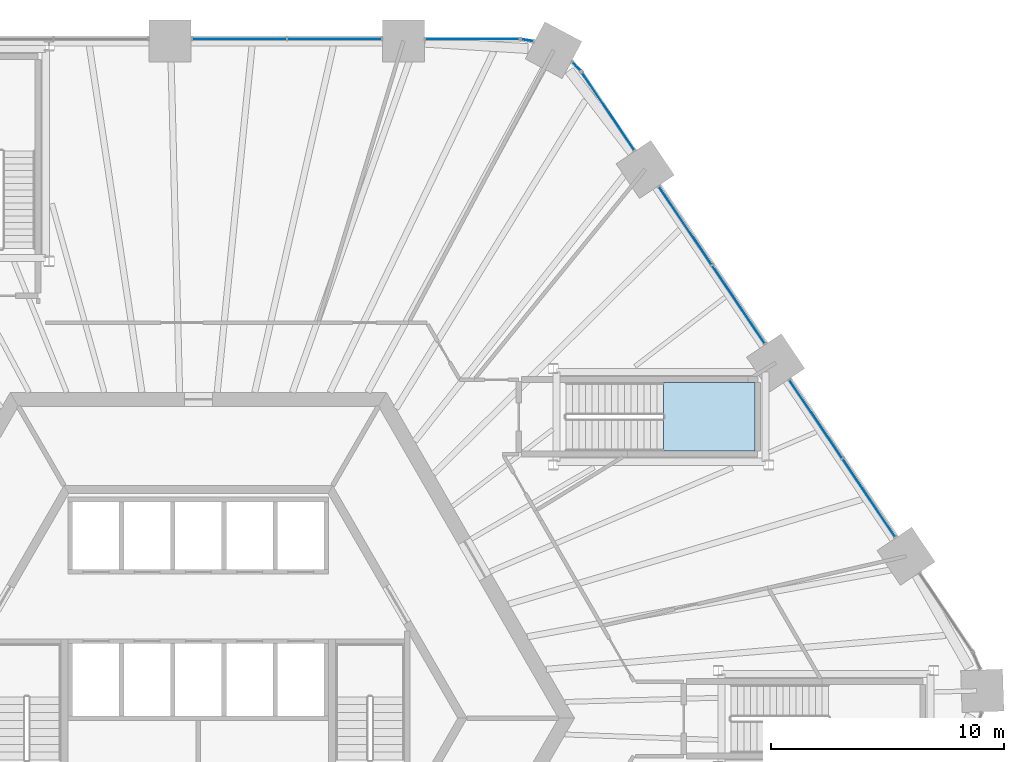
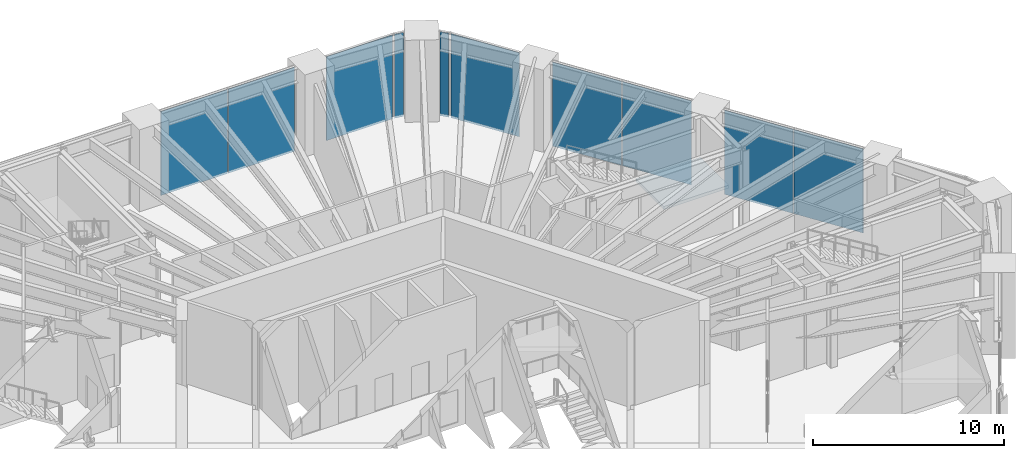
# One storey, part 19 of 30: 10 plates, 1 slab, 8 elements without a shape of their own.
"""IFC4 building model written with IfcOpenShell, lengths in metres."""

from ifc_helpers import new_model, si_unit, direction, frame, origin, origin_2d, place, context, subcontext, project, spatial, polyline, rectangle, outline, extrude, material, layer, layer_set, type_object, element, aggregate, save


model = new_model("IFC4")

# Units and contexts
model_context = context("Model", 3, precision=1e-05, world=origin(), true_north=direction((0.0, 1.0)))
body_context = subcontext(model_context, "Body", "Model", "MODEL_VIEW")
ifc_project = project(units=[si_unit("LENGTHUNIT", "METRE"), si_unit("AREAUNIT", "SQUARE_METRE"), si_unit("VOLUMEUNIT", "CUBIC_METRE"), si_unit("PLANEANGLEUNIT", "RADIAN"), si_unit("MASSUNIT", "GRAM", prefix="KILO")], contexts=[model_context])

# Site, building, storey
site_placement = place(None, origin())
site = spatial("IfcSite", under=ifc_project, at=site_placement, CompositionType="ELEMENT")
building_placement = place(site_placement, origin())
building = spatial("IfcBuilding", under=site, at=building_placement, Name="Tarnside Tower", CompositionType="ELEMENT")
storey_placement = place(building_placement, frame((0.0, 0.0, 20.5)))
storey = spatial("IfcBuildingStorey", under=building, at=storey_placement, Name="L03", CompositionType="ELEMENT", Elevation=20.5)

# Stair, slab
ifc_material_1 = material(Name="Concrete C40/50", Category="concrete")
stair_type = type_object("IfcStairType", Name="Podium exit stair 1400 clear", PredefinedType="HALF_TURN_STAIR", material=ifc_material_1)
stair_placement = place(storey_placement, origin())
stair = element("IfcStair", 1, at=stair_placement, inside=storey, type_object=stair_type, Name="L03 Podium exit stair 4", PredefinedType="HALF_TURN_STAIR")
ifc_layer_1 = layer(ifc_material_1, 0.199951171875)
ifc_layer_set_1 = layer_set([ifc_layer_1], Name="Podium stair landing 200 C40/50")
slab_type = type_object("IfcSlabType", Name="Podium stair landing 200 C40/50", PredefinedType="LANDING", material=ifc_layer_set_1)
slab_placement = place(storey_placement, frame((0.0, 0.0, 2.550048828125)))
slab = element("IfcSlab", 2, at=slab_placement, type_object=slab_type, Name="PS4 landing 1", PredefinedType="LANDING", context=body_context, shape_type="SweptSolid", body=[
    extrude(outline(polyline([(19.989990234375, 11.47509765625), (23.909912109375, 11.47509765625), (23.909912109375, 14.425048828125), (19.989990234375, 14.425048828125), (19.989990234375, 11.47509765625)])), origin(), (0.0, 0.0, 1.0), 0.199951171875),
])
aggregate(stair, [slab])

# Curtain wall, plates
ifc_material_2 = material(Name="Retail shopfront glazing wall", Category="glass")
curtain_wall_type = type_object("IfcCurtainWallType", Name="Retail shopfront glazing wall", PredefinedType="NOTDEFINED", material=ifc_material_2)
curtain_wall_1_placement = place(storey_placement, origin())
curtain_wall_1 = element("IfcCurtainWall", 3, at=curtain_wall_1_placement, inside=storey, type_object=curtain_wall_type, Name="Retail shopfront glazing L03 00.0", PredefinedType="NOTDEFINED")
ifc_material_3 = material(Name="Low-iron safety glass", Category="glass")
ifc_layer_2 = layer(ifc_material_3, 0.028076171875)
ifc_layer_set_2 = layer_set([ifc_layer_2], Name="Retail shopfront glazing panel 28")
plate_type = type_object("IfcPlateType", Name="Retail shopfront glazing panel 28", PredefinedType="CURTAIN_PANEL", material=ifc_layer_set_2)
plate_1_placement = place(storey_placement, frame((5.841796875, 29.179931640625, -0.18994140625), z_axis=(0.0, 0.0, 1.0), x_axis=(-1.0, 0.0, 0.0)))
plate_1 = element("IfcPlate", 4, at=plate_1_placement, type_object=plate_type, Name="CW2 panel 1.1", PredefinedType="CURTAIN_PANEL", context=body_context, shape_type="SweptSolid", body=[
    extrude(rectangle(XDim=4.021728515625, YDim=0.028076171875, at=origin_2d()), origin(), (0.0, 0.0, 1.0), 5.3798828125),
])
plate_2_placement = place(storey_placement, frame((1.759765625, 29.179931640625, -0.18994140625), z_axis=(0.0, 0.0, 1.0), x_axis=(-1.0, 0.0, 0.0)))
plate_2 = element("IfcPlate", 5, at=plate_2_placement, type_object=plate_type, Name="CW2 panel 2.1", PredefinedType="CURTAIN_PANEL", context=body_context, shape_type="SweptSolid", body=[
    extrude(rectangle(XDim=4.021728515625, YDim=0.028076171875, at=origin_2d()), origin(), (0.0, 0.0, 1.0), 5.3798828125),
])
aggregate(curtain_wall_1, [plate_1, plate_2])

curtain_wall_2_placement = place(storey_placement, origin())
curtain_wall_2 = element("IfcCurtainWall", 6, at=curtain_wall_2_placement, inside=storey, type_object=curtain_wall_type, Name="Retail shopfront glazing L03 20.0", PredefinedType="NOTDEFINED")
plate_3_placement = place(storey_placement, frame((28.8125, 9.46630859375, -0.18994140625), z_axis=(0.0, 0.0, 1.0), x_axis=(-0.559192903485, 0.829037572545, 0.0)))
plate_3 = element("IfcPlate", 7, at=plate_3_placement, type_object=plate_type, Name="CW2 panel 1.1", PredefinedType="CURTAIN_PANEL", context=body_context, shape_type="SweptSolid", body=[
    extrude(rectangle(XDim=4.021728515625, YDim=0.028076171875, at=origin_2d()), origin(), (0.0, 0.0, 1.0), 5.3798828125),
])
plate_4_placement = place(storey_placement, frame((26.52978515625, 12.85009765625, -0.18994140625), z_axis=(0.0, 0.0, 1.0), x_axis=(-0.559192903485, 0.829037572545, 0.0)))
plate_4 = element("IfcPlate", 8, at=plate_4_placement, type_object=plate_type, Name="CW2 panel 2.1", PredefinedType="CURTAIN_PANEL", context=body_context, shape_type="SweptSolid", body=[
    extrude(rectangle(XDim=4.021728515625, YDim=0.028076171875, at=origin_2d()), origin(), (0.0, 0.0, 1.0), 5.3798828125),
])
aggregate(curtain_wall_2, [plate_3, plate_4])

curtain_wall_3_placement = place(storey_placement, origin())
curtain_wall_3 = element("IfcCurtainWall", 9, at=curtain_wall_3_placement, inside=storey, type_object=curtain_wall_type, Name="Retail shopfront glazing L03 21.0", PredefinedType="NOTDEFINED")
plate_5_placement = place(storey_placement, frame((23.207275390625, 17.776123046875, -0.18994140625), z_axis=(0.0, 0.0, 1.0), x_axis=(-0.559192903485, 0.829037572545, 0.0)))
plate_5 = element("IfcPlate", 10, at=plate_5_placement, type_object=plate_type, Name="CW2 panel 1.1", PredefinedType="CURTAIN_PANEL", context=body_context, shape_type="SweptSolid", body=[
    extrude(rectangle(XDim=4.021728515625, YDim=0.028076171875, at=origin_2d()), origin(), (0.0, 0.0, 1.0), 5.3798828125),
])
plate_6_placement = place(storey_placement, frame((20.9248046875, 21.16015625, -0.18994140625), z_axis=(0.0, 0.0, 1.0), x_axis=(-0.559192903485, 0.829037572545, 0.0)))
plate_6 = element("IfcPlate", 11, at=plate_6_placement, type_object=plate_type, Name="CW2 panel 2.1", PredefinedType="CURTAIN_PANEL", context=body_context, shape_type="SweptSolid", body=[
    extrude(rectangle(XDim=4.021728515625, YDim=0.028076171875, at=origin_2d()), origin(), (0.0, 0.0, 1.0), 5.3798828125),
])
aggregate(curtain_wall_3, [plate_5, plate_6])

# Curtain wall, plate
curtain_wall_4_placement = place(storey_placement, origin())
curtain_wall_4 = element("IfcCurtainWall", 12, at=curtain_wall_4_placement, inside=storey, type_object=curtain_wall_type, Name="Retail shopfront glazing L03 22.0", PredefinedType="NOTDEFINED")
plate_7_placement = place(storey_placement, frame((17.6103515625, 26.07373046875, -0.18994140625), z_axis=(0.0, 0.0, 1.0), x_axis=(-0.559192903413, 0.829037572594, 0.0)))
plate_7 = element("IfcPlate", 13, at=plate_7_placement, type_object=plate_type, Name="CW2 panel 1.1", PredefinedType="CURTAIN_PANEL", context=body_context, shape_type="SweptSolid", body=[
    extrude(rectangle(XDim=3.991943359375, YDim=0.028076171875, at=origin_2d()), origin(), (0.0, 0.0, 1.0), 5.3798828125),
])
aggregate(curtain_wall_4, [plate_7])

curtain_wall_5_placement = place(storey_placement, origin())
curtain_wall_5 = element("IfcCurtainWall", 14, at=curtain_wall_5_placement, inside=storey, type_object=curtain_wall_type, Name="Retail shopfront glazing L03 22.1", PredefinedType="NOTDEFINED")
plate_8_placement = place(storey_placement, frame((16.243896484375, 28.009521484375, -0.18994140625), z_axis=(0.0, 0.0, 1.0), x_axis=(-0.686241637814, 0.727373641625, 0.0)))
plate_8 = element("IfcPlate", 15, at=plate_8_placement, type_object=plate_type, Name="CW2 panel 1.1", PredefinedType="CURTAIN_PANEL", context=body_context, shape_type="SweptSolid", body=[
    extrude(rectangle(XDim=0.48828125, YDim=0.028076171875, at=origin_2d()), origin(), (0.0, 0.0, 1.0), 5.3798828125),
])
aggregate(curtain_wall_5, [plate_8])

curtain_wall_6_placement = place(storey_placement, origin())
curtain_wall_6 = element("IfcCurtainWall", 16, at=curtain_wall_6_placement, inside=storey, type_object=curtain_wall_type, Name="Retail shopfront glazing L03 23.0", PredefinedType="NOTDEFINED")
plate_9_placement = place(storey_placement, frame((14.137451171875, 29.129638671875, -0.18994140625), z_axis=(0.0, 0.0, 1.0), x_axis=(-0.986761531995, 0.162177923823, 0.0)))
plate_9 = element("IfcPlate", 17, at=plate_9_placement, type_object=plate_type, Name="CW2 panel 1.1", PredefinedType="CURTAIN_PANEL", context=body_context, shape_type="SweptSolid", body=[
    extrude(rectangle(XDim=0.48828125, YDim=0.028076171875, at=origin_2d()), origin(), (0.0, 0.0, 1.0), 5.3798828125),
])
aggregate(curtain_wall_6, [plate_9])

curtain_wall_7_placement = place(storey_placement, origin())
curtain_wall_7 = element("IfcCurtainWall", 18, at=curtain_wall_7_placement, inside=storey, type_object=curtain_wall_type, Name="Retail shopfront glazing L03 23.1", PredefinedType="NOTDEFINED")
plate_10_placement = place(storey_placement, frame((11.7685546875, 29.179931640625, -0.18994140625), z_axis=(0.0, 0.0, 1.0), x_axis=(-1.0, 0.0, 0.0)))
plate_10 = element("IfcPlate", 19, at=plate_10_placement, type_object=plate_type, Name="CW2 panel 1.1", PredefinedType="CURTAIN_PANEL", context=body_context, shape_type="SweptSolid", body=[
    extrude(rectangle(XDim=3.991943359375, YDim=0.028076171875, at=origin_2d()), origin(), (0.0, 0.0, 1.0), 5.3798828125),
])
aggregate(curtain_wall_7, [plate_10])

save(model, "model.ifc")
